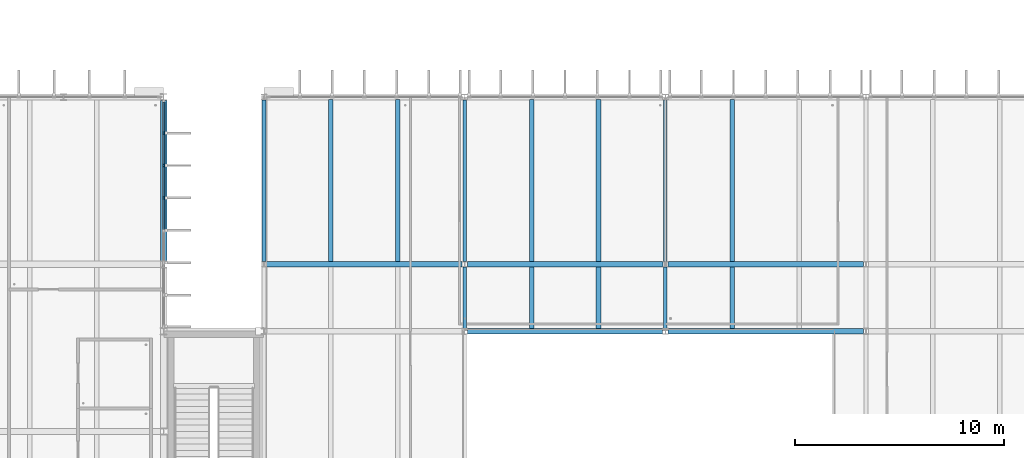
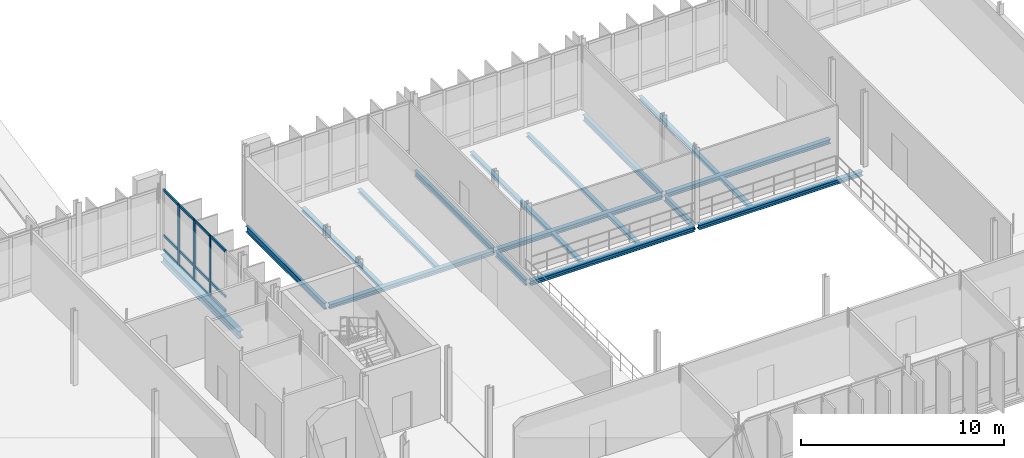
# One storey, part 18 of 59: 19 beams, 15 members, 1 element without a shape of its own.
"""IFC4 building model written with IfcOpenShell, lengths in metres."""

from ifc_helpers import new_model, si_unit, direction, frame, origin, origin_2d, place, context, subcontext, project, spatial, rectangle, i_section, extrude, material, material_profile, profile_set, type_object, element, aggregate, save


model = new_model("IFC4")

# Units and contexts
model_context = context("Model", 3, precision=1e-05, world=origin(), true_north=direction((0.0, 1.0)))
body_context = subcontext(model_context, "Body", "Model", "MODEL_VIEW")
ifc_project = project(units=[si_unit("LENGTHUNIT", "METRE"), si_unit("AREAUNIT", "SQUARE_METRE"), si_unit("VOLUMEUNIT", "CUBIC_METRE"), si_unit("PLANEANGLEUNIT", "RADIAN"), si_unit("MASSUNIT", "GRAM", prefix="KILO")], contexts=[model_context])

# Site, building, storey
site_placement = place(None, origin())
site = spatial("IfcSite", under=ifc_project, at=site_placement, CompositionType="ELEMENT")
building_placement = place(site_placement, origin())
building = spatial("IfcBuilding", under=site, at=building_placement, Name="Dunescarp Central Library", CompositionType="ELEMENT")
storey_placement = place(building_placement, frame((0.0, 0.0, 18.60009765625)))
storey = spatial("IfcBuildingStorey", under=building, at=storey_placement, Name="L04", CompositionType="ELEMENT", Elevation=18.60009765625)

# Curtain wall, members
ifc_material_1 = material(Name="Marine-grade anodised aluminium 6063-T6", Category="aluminium")
curtain_wall_type = type_object("IfcCurtainWallType", Name="ARC-CW-STICK", PredefinedType="NOTDEFINED", material=ifc_material_1)
curtain_wall_placement = place(storey_placement, origin())
curtain_wall = element("IfcCurtainWall", 1, at=curtain_wall_placement, inside=storey, type_object=curtain_wall_type, Name="L04 curtain wall CW-V1-030", PredefinedType="NOTDEFINED")
ifc_material_profile_1 = material_profile(ifc_material_1, rectangle(XDim=0.080078125, YDim=0.179931640625, at=origin_2d()), Name="AL 80x180")
ifc_profile_set_1 = profile_set([ifc_material_profile_1], Name="Marine-grade anodised aluminium 6063-T6")
member_type_1 = type_object("IfcMemberType", Name="ARC-CWM-180", PredefinedType="MULLION", material=ifc_profile_set_1)
member_1_placement = place(storey_placement, frame((33.60009765625, 35.074951171875, 0.0), z_axis=(0.0, 0.0, 1.0), x_axis=(1.0, 0.0, 0.0)))
member_1 = element("IfcMember", 2, at=member_1_placement, type_object=member_type_1, Name="CW-V1-030 mullion 2", PredefinedType="MULLION", context=body_context, shape_type="SweptSolid", body=[
    extrude(rectangle(XDim=0.080078125, YDim=0.179931640625, at=origin_2d()), origin(), (0.0, 0.0, 1.0), 3.664794921875),
])
member_2_placement = place(storey_placement, frame((33.60009765625, 33.52490234375, 0.0), z_axis=(0.0, 0.0, 1.0), x_axis=(1.0, 0.0, 0.0)))
member_2 = element("IfcMember", 3, at=member_2_placement, type_object=member_type_1, Name="CW-V1-030 mullion 3", PredefinedType="MULLION", context=body_context, shape_type="SweptSolid", body=[
    extrude(rectangle(XDim=0.080078125, YDim=0.179931640625, at=origin_2d()), origin(), (0.0, 0.0, 1.0), 3.664794921875),
])
member_3_placement = place(storey_placement, frame((33.60009765625, 31.97509765625, 0.0), z_axis=(0.0, 0.0, 1.0), x_axis=(1.0, 0.0, 0.0)))
member_3 = element("IfcMember", 4, at=member_3_placement, type_object=member_type_1, Name="CW-V1-030 mullion 4", PredefinedType="MULLION", context=body_context, shape_type="SweptSolid", body=[
    extrude(rectangle(XDim=0.080078125, YDim=0.179931640625, at=origin_2d()), origin(), (0.0, 0.0, 1.0), 3.664794921875),
])
ifc_material_profile_2 = material_profile(ifc_material_1, rectangle(XDim=0.080078125, YDim=0.14990234375, at=origin_2d()), Name="AL 80x150")
ifc_profile_set_2 = profile_set([ifc_material_profile_2], Name="Marine-grade anodised aluminium 6063-T6")
member_type_2 = type_object("IfcMemberType", Name="ARC-CWT-150", PredefinedType="USERDEFINED", material=ifc_profile_set_2)
member_4_placement = place(storey_placement, frame((33.60009765625, 36.544921875, 0.039794921875), z_axis=(0.0, -1.0, 0.0), x_axis=(1.0, 0.0, 0.0)))
member_4 = element("IfcMember", 5, at=member_4_placement, type_object=member_type_2, Name="CW-V1-030 transom 1.1", ObjectType="TRANSOM", PredefinedType="USERDEFINED", context=body_context, shape_type="SweptSolid", body=[
    extrude(rectangle(XDim=0.080078125, YDim=0.14990234375, at=origin_2d()), origin(), (0.0, 0.0, 1.0), 1.429931640625),
])
member_5_placement = place(storey_placement, frame((33.60009765625, 36.544921875, 0.89990234375), z_axis=(0.0, -1.0, 0.0), x_axis=(1.0, 0.0, 0.0)))
member_5 = element("IfcMember", 6, at=member_5_placement, type_object=member_type_2, Name="CW-V1-030 transom 1.2", ObjectType="TRANSOM", PredefinedType="USERDEFINED", context=body_context, shape_type="SweptSolid", body=[
    extrude(rectangle(XDim=0.080078125, YDim=0.14990234375, at=origin_2d()), origin(), (0.0, 0.0, 1.0), 1.429931640625),
])
member_6_placement = place(storey_placement, frame((33.60009765625, 36.544921875, 3.625), z_axis=(0.0, -1.0, 0.0), x_axis=(1.0, 0.0, 0.0)))
member_6 = element("IfcMember", 7, at=member_6_placement, type_object=member_type_2, Name="CW-V1-030 transom 1.3", ObjectType="TRANSOM", PredefinedType="USERDEFINED", context=body_context, shape_type="SweptSolid", body=[
    extrude(rectangle(XDim=0.080078125, YDim=0.14990234375, at=origin_2d()), origin(), (0.0, 0.0, 1.0), 1.429931640625),
])
member_7_placement = place(storey_placement, frame((33.60009765625, 35.034912109375, 0.039794921875), z_axis=(0.0, -1.0, 0.0), x_axis=(1.0, 0.0, 0.0)))
member_7 = element("IfcMember", 8, at=member_7_placement, type_object=member_type_2, Name="CW-V1-030 transom 2.1", ObjectType="TRANSOM", PredefinedType="USERDEFINED", context=body_context, shape_type="SweptSolid", body=[
    extrude(rectangle(XDim=0.080078125, YDim=0.14990234375, at=origin_2d()), origin(), (0.0, 0.0, 1.0), 1.469970703125),
])
member_8_placement = place(storey_placement, frame((33.60009765625, 35.034912109375, 0.89990234375), z_axis=(0.0, -1.0, 0.0), x_axis=(1.0, 0.0, 0.0)))
member_8 = element("IfcMember", 9, at=member_8_placement, type_object=member_type_2, Name="CW-V1-030 transom 2.2", ObjectType="TRANSOM", PredefinedType="USERDEFINED", context=body_context, shape_type="SweptSolid", body=[
    extrude(rectangle(XDim=0.080078125, YDim=0.14990234375, at=origin_2d()), origin(), (0.0, 0.0, 1.0), 1.469970703125),
])
member_9_placement = place(storey_placement, frame((33.60009765625, 35.034912109375, 3.625), z_axis=(0.0, -1.0, 0.0), x_axis=(1.0, 0.0, 0.0)))
member_9 = element("IfcMember", 10, at=member_9_placement, type_object=member_type_2, Name="CW-V1-030 transom 2.3", ObjectType="TRANSOM", PredefinedType="USERDEFINED", context=body_context, shape_type="SweptSolid", body=[
    extrude(rectangle(XDim=0.080078125, YDim=0.14990234375, at=origin_2d()), origin(), (0.0, 0.0, 1.0), 1.469970703125),
])
member_10_placement = place(storey_placement, frame((33.60009765625, 33.485107421875, 0.039794921875), z_axis=(0.0, -1.0, 0.0), x_axis=(1.0, 0.0, 0.0)))
member_10 = element("IfcMember", 11, at=member_10_placement, type_object=member_type_2, Name="CW-V1-030 transom 3.1", ObjectType="TRANSOM", PredefinedType="USERDEFINED", context=body_context, shape_type="SweptSolid", body=[
    extrude(rectangle(XDim=0.080078125, YDim=0.14990234375, at=origin_2d()), origin(), (0.0, 0.0, 1.0), 1.47021484375),
])
member_11_placement = place(storey_placement, frame((33.60009765625, 33.485107421875, 0.89990234375), z_axis=(0.0, -1.0, 0.0), x_axis=(1.0, 0.0, 0.0)))
member_11 = element("IfcMember", 12, at=member_11_placement, type_object=member_type_2, Name="CW-V1-030 transom 3.2", ObjectType="TRANSOM", PredefinedType="USERDEFINED", context=body_context, shape_type="SweptSolid", body=[
    extrude(rectangle(XDim=0.080078125, YDim=0.14990234375, at=origin_2d()), origin(), (0.0, 0.0, 1.0), 1.47021484375),
])
member_12_placement = place(storey_placement, frame((33.60009765625, 33.485107421875, 3.625), z_axis=(0.0, -1.0, 0.0), x_axis=(1.0, 0.0, 0.0)))
member_12 = element("IfcMember", 13, at=member_12_placement, type_object=member_type_2, Name="CW-V1-030 transom 3.3", ObjectType="TRANSOM", PredefinedType="USERDEFINED", context=body_context, shape_type="SweptSolid", body=[
    extrude(rectangle(XDim=0.080078125, YDim=0.14990234375, at=origin_2d()), origin(), (0.0, 0.0, 1.0), 1.47021484375),
])
member_13_placement = place(storey_placement, frame((33.60009765625, 31.93505859375, 0.039794921875), z_axis=(0.0, -1.0, 0.0), x_axis=(1.0, 0.0, 0.0)))
member_13 = element("IfcMember", 14, at=member_13_placement, type_object=member_type_2, Name="CW-V1-030 transom 4.1", ObjectType="TRANSOM", PredefinedType="USERDEFINED", context=body_context, shape_type="SweptSolid", body=[
    extrude(rectangle(XDim=0.080078125, YDim=0.14990234375, at=origin_2d()), origin(), (0.0, 0.0, 1.0), 1.469970703125),
])
member_14_placement = place(storey_placement, frame((33.60009765625, 31.93505859375, 0.89990234375), z_axis=(0.0, -1.0, 0.0), x_axis=(1.0, 0.0, 0.0)))
member_14 = element("IfcMember", 15, at=member_14_placement, type_object=member_type_2, Name="CW-V1-030 transom 4.2", ObjectType="TRANSOM", PredefinedType="USERDEFINED", context=body_context, shape_type="SweptSolid", body=[
    extrude(rectangle(XDim=0.080078125, YDim=0.14990234375, at=origin_2d()), origin(), (0.0, 0.0, 1.0), 1.469970703125),
])
member_15_placement = place(storey_placement, frame((33.60009765625, 31.93505859375, 3.625), z_axis=(0.0, -1.0, 0.0), x_axis=(1.0, 0.0, 0.0)))
member_15 = element("IfcMember", 16, at=member_15_placement, type_object=member_type_2, Name="CW-V1-030 transom 4.3", ObjectType="TRANSOM", PredefinedType="USERDEFINED", context=body_context, shape_type="SweptSolid", body=[
    extrude(rectangle(XDim=0.080078125, YDim=0.14990234375, at=origin_2d()), origin(), (0.0, 0.0, 1.0), 1.469970703125),
])
aggregate(curtain_wall, [member_1, member_2, member_3, member_4, member_5, member_6, member_7, member_8, member_9, member_10, member_11, member_12, member_13, member_14, member_15])

# Beams
ifc_material_2 = material(Name="Steel S355JR", Category="steel")
ifc_material_profile_3 = material_profile(ifc_material_2, i_section(OverallWidth=0.260009765625, OverallDepth=0.260009765625, WebThickness=0.010009765625, FlangeThickness=0.017578125, at=origin_2d()), Name="HEB 260")
ifc_profile_set_3 = profile_set([ifc_material_profile_3], Name="Steel S355JR")
beam_type_1 = type_object("IfcBeamType", Name="STR-BM-HEB260", PredefinedType="BEAM", material=ifc_profile_set_3)
beam_1_placement = place(storey_placement, frame((38.52490234375, 28.800048828125, -0.380126953125), z_axis=(1.0, 0.0, 0.0), x_axis=(0.0, 1.0, 0.0)))
element("IfcBeam", 17, at=beam_1_placement, inside=storey, type_object=beam_type_1, Name="L04 girder BM-L04-0549", PredefinedType="BEAM", context=body_context, shape_type="SweptSolid", body=[
    extrude(i_section(OverallWidth=0.260009765625, OverallDepth=0.260009765625, WebThickness=0.010009765625, FlangeThickness=0.017578125, at=origin_2d()), origin(), (0.0, 0.0, 1.0), 9.35009765625),
])
beam_2_placement = place(storey_placement, frame((48.1279296875, 25.60009765625, -0.380126953125), z_axis=(1.0, 0.0, 0.0), x_axis=(0.0, 1.0, 0.0)))
element("IfcBeam", 18, at=beam_2_placement, inside=storey, type_object=beam_type_1, Name="L04 girder BM-L04-0564", PredefinedType="BEAM", context=body_context, shape_type="SweptSolid", body=[
    extrude(i_section(OverallWidth=0.260009765625, OverallDepth=0.260009765625, WebThickness=0.010009765625, FlangeThickness=0.017578125, at=origin_2d()), origin(), (0.0, 0.0, 1.0), 9.343994140625),
])
beam_3_placement = place(storey_placement, frame((48.125, 28.800048828125, -0.380126953125), z_axis=(1.0, 0.0, 0.0), x_axis=(0.0, 1.0, 0.0)))
element("IfcBeam", 19, at=beam_3_placement, inside=storey, type_object=beam_type_1, Name="L04 girder BM-L04-0565", PredefinedType="BEAM", context=body_context, shape_type="SweptSolid", body=[
    extrude(i_section(OverallWidth=0.260009765625, OverallDepth=0.260009765625, WebThickness=0.010009765625, FlangeThickness=0.017578125, at=origin_2d()), origin(), (0.0, 0.0, 1.0), 9.35009765625),
])
beam_4_placement = place(storey_placement, frame((57.72802734375, 25.60009765625, -0.380126953125), z_axis=(1.0, 0.0, 0.0), x_axis=(0.0, 1.0, 0.0)))
element("IfcBeam", 20, at=beam_4_placement, inside=storey, type_object=beam_type_1, Name="L04 girder BM-L04-0578", PredefinedType="BEAM", context=body_context, shape_type="SweptSolid", body=[
    extrude(i_section(OverallWidth=0.260009765625, OverallDepth=0.260009765625, WebThickness=0.010009765625, FlangeThickness=0.017578125, at=origin_2d()), origin(), (0.0, 0.0, 1.0), 9.343994140625),
])
beam_5_placement = place(storey_placement, frame((57.72509765625, 28.800048828125, -0.380126953125), z_axis=(1.0, 0.0, 0.0), x_axis=(0.0, 1.0, 0.0)))
element("IfcBeam", 21, at=beam_5_placement, inside=storey, type_object=beam_type_1, Name="L04 girder BM-L04-0580", PredefinedType="BEAM", context=body_context, shape_type="SweptSolid", body=[
    extrude(i_section(OverallWidth=0.260009765625, OverallDepth=0.260009765625, WebThickness=0.010009765625, FlangeThickness=0.017578125, at=origin_2d()), origin(), (0.0, 0.0, 1.0), 9.349853515625),
])
ifc_material_profile_4 = material_profile(ifc_material_2, i_section(OverallWidth=0.300048828125, OverallDepth=0.449951171875, WebThickness=0.013916015625, FlangeThickness=0.02587890625, at=origin_2d()), Name="HEB 450")
ifc_profile_set_4 = profile_set([ifc_material_profile_4], Name="Steel S355JR")
beam_type_2 = type_object("IfcBeamType", Name="STR-BM-HEB450", PredefinedType="BEAM", material=ifc_profile_set_4)
beam_6_placement = place(storey_placement, frame((33.60009765625, 28.9609375, -0.47509765625), z_axis=(0.0, 1.0, 0.0), x_axis=(-1.0, 0.0, 0.0)))
element("IfcBeam", 22, at=beam_6_placement, inside=storey, type_object=beam_type_2, Name="L04 girder BM-L04-0218", PredefinedType="BEAM", context=body_context, shape_type="SweptSolid", body=[
    extrude(i_section(OverallWidth=0.300048828125, OverallDepth=0.449951171875, WebThickness=0.013916015625, FlangeThickness=0.02587890625, at=origin_2d()), origin(), (0.0, 0.0, 1.0), 7.677978515625),
])
ifc_material_profile_5 = material_profile(ifc_material_2, i_section(OverallWidth=0.173095703125, OverallDepth=0.36328125, WebThickness=0.009033203125, FlangeThickness=0.015625, at=origin_2d()), Name="UB 356x171x67")
ifc_profile_set_5 = profile_set([ifc_material_profile_5], Name="Steel S355JR")
beam_type_3 = type_object("IfcBeamType", Name="STR-BM-UB356X67", PredefinedType="BEAM", material=ifc_profile_set_5)
beam_7_placement = place(storey_placement, frame((48.0, 25.735107421875, -0.43212890625), z_axis=(0.0, 1.0, 0.0), x_axis=(-1.0, 0.0, 0.0)))
element("IfcBeam", 23, at=beam_7_placement, inside=storey, type_object=beam_type_3, Name="L04 girder BM-L04-0551", PredefinedType="BEAM", context=body_context, shape_type="SweptSolid", body=[
    extrude(i_section(OverallWidth=0.173095703125, OverallDepth=0.36328125, WebThickness=0.009033203125, FlangeThickness=0.015625, at=origin_2d()), origin(), (0.0, 0.0, 1.0), 2.93798828125),
])
for number, where, z_axis, x_axis, name in (
    (24, (38.39990234375, 28.927001953125, -0.43212890625), (0.0, 1.0, 0.0), (-1.0, 0.0, 0.0), "L04 girder BM-L04-0555"),
    (25, (48.0, 28.927001953125, -0.43212890625), (0.0, 1.0, 0.0), (-1.0, 0.0, 0.0), "L04 girder BM-L04-0556"),
):
    element("IfcBeam", number, at=place(storey_placement, frame(where, z_axis=z_axis, x_axis=x_axis)), inside=storey, type_object=beam_type_3, Name=name, PredefinedType="BEAM", context=body_context, shape_type="SweptSolid", body=[
        extrude(i_section(OverallWidth=0.173095703125, OverallDepth=0.36328125, WebThickness=0.009033203125, FlangeThickness=0.015625, at=origin_2d()), origin(), (0.0, 0.0, 1.0), 7.738037109375),
    ])
beam_8_placement = place(storey_placement, frame((57.60009765625, 25.735107421875, -0.43212890625), z_axis=(0.0, 1.0, 0.0), x_axis=(-1.0, 0.0, 0.0)))
element("IfcBeam", 26, at=beam_8_placement, inside=storey, type_object=beam_type_3, Name="L04 girder BM-L04-0566", PredefinedType="BEAM", context=body_context, shape_type="SweptSolid", body=[
    extrude(i_section(OverallWidth=0.173095703125, OverallDepth=0.36328125, WebThickness=0.009033203125, FlangeThickness=0.015625, at=origin_2d()), origin(), (0.0, 0.0, 1.0), 2.93798828125),
])
beam_9_placement = place(storey_placement, frame((57.60009765625, 28.927001953125, -0.43212890625), z_axis=(0.0, 1.0, 0.0), x_axis=(-1.0, 0.0, 0.0)))
element("IfcBeam", 27, at=beam_9_placement, inside=storey, type_object=beam_type_3, Name="L04 girder BM-L04-0570", PredefinedType="BEAM", context=body_context, shape_type="SweptSolid", body=[
    extrude(i_section(OverallWidth=0.173095703125, OverallDepth=0.36328125, WebThickness=0.009033203125, FlangeThickness=0.015625, at=origin_2d()), origin(), (0.0, 0.0, 1.0), 7.738037109375),
])
ifc_material_profile_6 = material_profile(ifc_material_2, i_section(OverallWidth=0.219970703125, OverallDepth=0.2099609375, WebThickness=0.007080078125, FlangeThickness=0.010986328125, at=origin_2d()), Name="HEA 220")
ifc_profile_set_6 = profile_set([ifc_material_profile_6], Name="Steel S355JR")
beam_type_4 = type_object("IfcBeamType", Name="STR-JS-HEA220", PredefinedType="JOIST", material=ifc_profile_set_6)
for number, where, z_axis, x_axis, name in (
    (28, (41.60009765625, 28.927978515625, -0.35498046875), (0.0, 1.0, 0.0), (-1.0, 0.0, 0.0), "L04 joist JS-L04-0557"),
    (29, (44.800048828125, 28.927978515625, -0.35498046875), (0.0, 1.0, 0.0), (-1.0, 0.0, 0.0), "L04 joist JS-L04-0558"),
):
    element("IfcBeam", number, at=place(storey_placement, frame(where, z_axis=z_axis, x_axis=x_axis)), inside=storey, type_object=beam_type_4, Name=name, PredefinedType="JOIST", context=body_context, shape_type="SweptSolid", body=[
        extrude(i_section(OverallWidth=0.219970703125, OverallDepth=0.2099609375, WebThickness=0.007080078125, FlangeThickness=0.010986328125, at=origin_2d()), origin(), (0.0, 0.0, 1.0), 7.744140625),
    ])
for number, where, z_axis, x_axis, name in (
    (30, (51.199951171875, 25.72802734375, -0.35498046875), (0.0, 1.0, 0.0), (-1.0, 0.0, 0.0), "L04 joist JS-L04-0567"),
    (31, (54.39990234375, 25.72802734375, -0.35498046875), (0.0, 1.0, 0.0), (-1.0, 0.0, 0.0), "L04 joist JS-L04-0568"),
):
    element("IfcBeam", number, at=place(storey_placement, frame(where, z_axis=z_axis, x_axis=x_axis)), inside=storey, type_object=beam_type_4, Name=name, PredefinedType="JOIST", context=body_context, shape_type="SweptSolid", body=[
        extrude(i_section(OverallWidth=0.219970703125, OverallDepth=0.2099609375, WebThickness=0.007080078125, FlangeThickness=0.010986328125, at=origin_2d()), origin(), (0.0, 0.0, 1.0), 2.944091796875),
    ])
for number, where, z_axis, x_axis, name in (
    (32, (51.199951171875, 28.927978515625, -0.35498046875), (0.0, 1.0, 0.0), (-1.0, 0.0, 0.0), "L04 joist JS-L04-0571"),
    (33, (54.39990234375, 28.927978515625, -0.35498046875), (0.0, 1.0, 0.0), (-1.0, 0.0, 0.0), "L04 joist JS-L04-0572"),
):
    element("IfcBeam", number, at=place(storey_placement, frame(where, z_axis=z_axis, x_axis=x_axis)), inside=storey, type_object=beam_type_4, Name=name, PredefinedType="JOIST", context=body_context, shape_type="SweptSolid", body=[
        extrude(i_section(OverallWidth=0.219970703125, OverallDepth=0.2099609375, WebThickness=0.007080078125, FlangeThickness=0.010986328125, at=origin_2d()), origin(), (0.0, 0.0, 1.0), 7.744140625),
    ])
beam_10_placement = place(storey_placement, frame((60.800048828125, 25.72802734375, -0.35498046875), z_axis=(0.0, 1.0, 0.0), x_axis=(-1.0, 0.0, 0.0)))
element("IfcBeam", 34, at=beam_10_placement, inside=storey, type_object=beam_type_4, Name="L04 joist JS-L04-0582", PredefinedType="JOIST", context=body_context, shape_type="SweptSolid", body=[
    extrude(i_section(OverallWidth=0.219970703125, OverallDepth=0.2099609375, WebThickness=0.007080078125, FlangeThickness=0.010986328125, at=origin_2d()), origin(), (0.0, 0.0, 1.0), 2.944091796875),
])
beam_11_placement = place(storey_placement, frame((60.800048828125, 28.927978515625, -0.35498046875), z_axis=(0.0, 1.0, 0.0), x_axis=(-1.0, 0.0, 0.0)))
element("IfcBeam", 35, at=beam_11_placement, inside=storey, type_object=beam_type_4, Name="L04 joist JS-L04-0586", PredefinedType="JOIST", context=body_context, shape_type="SweptSolid", body=[
    extrude(i_section(OverallWidth=0.219970703125, OverallDepth=0.2099609375, WebThickness=0.007080078125, FlangeThickness=0.010986328125, at=origin_2d()), origin(), (0.0, 0.0, 1.0), 7.744140625),
])

save(model, "model.ifc")
